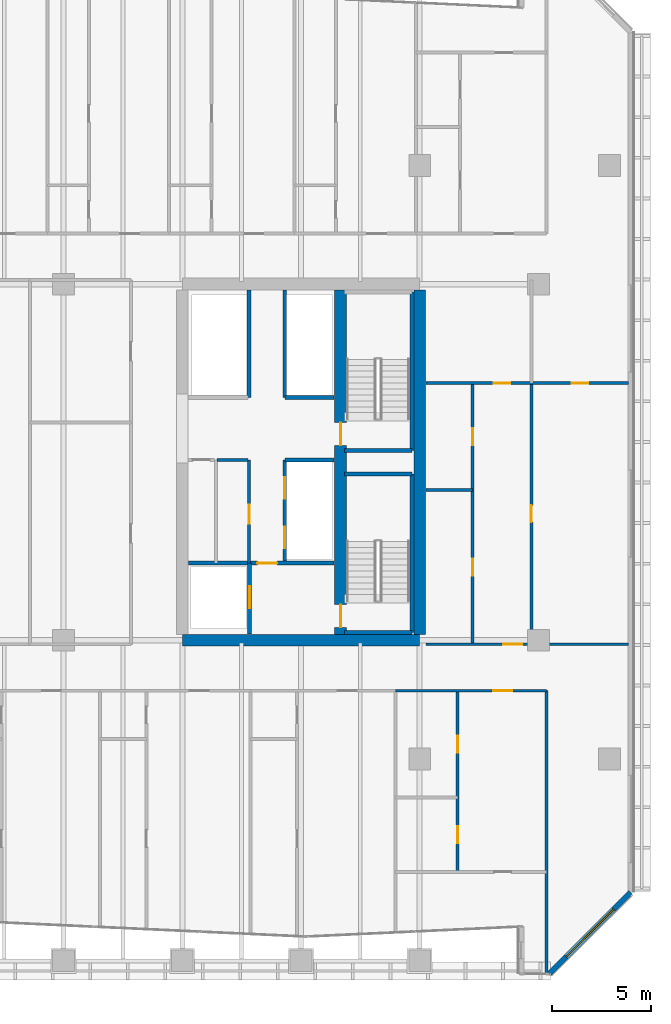
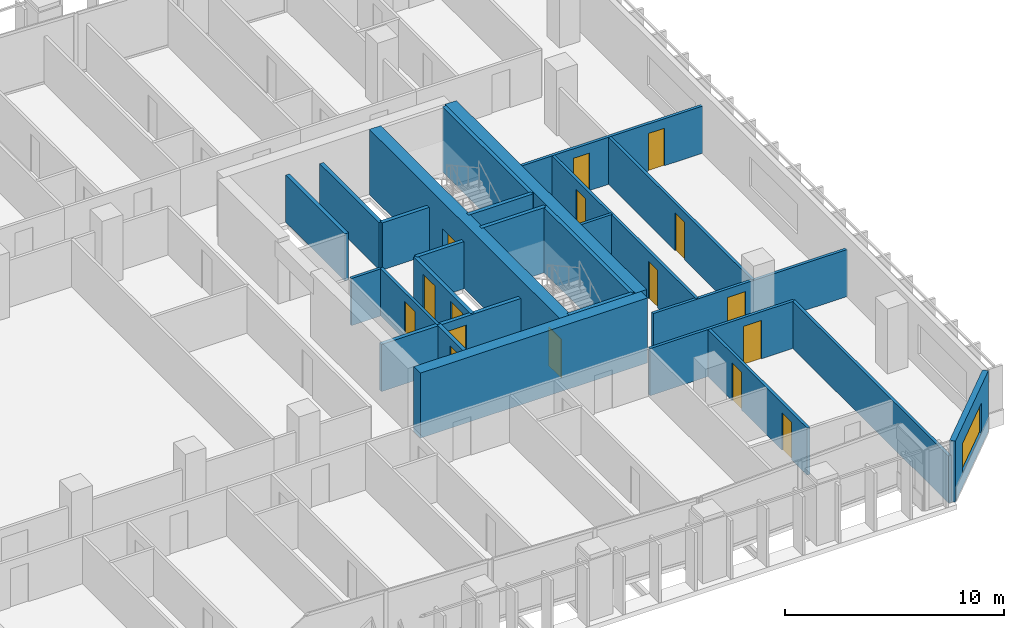
# One storey, part 24 of 32: 26 walls, 16 doors, 1 window, 17 openings.
"""IFC4 building model written with IfcOpenShell, lengths in metres."""

from ifc_helpers import new_model, si_unit, direction, frame, frame_2d, origin, place, context, subcontext, project, spatial, rectangle, extrude, material, layer, layer_set, type_object, element, fill, save


model = new_model("IFC4")

# Units and contexts
model_context = context("Model", 3, precision=1e-05, world=origin(), true_north=direction((0.0, 1.0)))
body_context = subcontext(model_context, "Body", "Model", "MODEL_VIEW")
ifc_project = project(units=[si_unit("LENGTHUNIT", "METRE"), si_unit("AREAUNIT", "SQUARE_METRE"), si_unit("VOLUMEUNIT", "CUBIC_METRE"), si_unit("PLANEANGLEUNIT", "RADIAN"), si_unit("MASSUNIT", "GRAM", prefix="KILO")], contexts=[model_context])

# Site, building, storey
site_placement = place(None, origin())
site = spatial("IfcSite", under=ifc_project, at=site_placement, CompositionType="ELEMENT")
building_placement = place(site_placement, origin())
building = spatial("IfcBuilding", under=site, at=building_placement, Name="Tanjung Sevakor Pilgrim Tower", CompositionType="ELEMENT")
storey_placement = place(building_placement, frame((0.0, 0.0, 62.3701171875)))
storey = spatial("IfcBuildingStorey", under=building, at=storey_placement, Name="L17", CompositionType="ELEMENT", Elevation=62.3701171875)

# Walls
ifc_material_1 = material(Name="Concrete C60/75", Category="concrete")
ifc_layer_1 = layer(ifc_material_1, 0.60009765625)
ifc_layer_set_1 = layer_set([ifc_layer_1], Name="WALL-CW-600")
wall_type_1 = type_object("IfcWallType", Name="WALL-CW-600", PredefinedType="SHEAR", material=ifc_layer_set_1)
wall_1_placement = place(storey_placement, frame((78.0, 24.60009765625, 0.0), z_axis=(0.0, 0.0, 1.0), x_axis=(1.0, 0.0, 0.0)))
element("IfcWall", 1, at=wall_1_placement, inside=storey, type_object=wall_type_1, Name="L17 E Core South Shear Wall", PredefinedType="SHEAR", context=body_context, shape_type="SweptSolid", body=[
    extrude(rectangle(XDim=12.0, YDim=0.60009765625, at=frame_2d((6.0, 0.0))), origin(), (0.0, 0.0, 1.0), 3.6298828125),
])
wall_2_placement = place(storey_placement, frame((90.0, 24.89990234375, 0.0), z_axis=(0.0, 0.0, 1.0), x_axis=(0.0, 1.0, 0.0)))
element("IfcWall", 2, at=wall_2_placement, inside=storey, type_object=wall_type_1, Name="L17 E Core Outer Shear Wall", PredefinedType="SHEAR", context=body_context, shape_type="SweptSolid", body=[
    extrude(rectangle(XDim=17.400146484375, YDim=0.60009765625, at=frame_2d((8.7001953125, 0.0))), origin(), (0.0, 0.0, 1.0), 3.6298828125),
])

# Wall, openings, doors
wall_3_placement = place(storey_placement, frame((86.0, 24.89990234375, 0.0), z_axis=(0.0, 0.0, 1.0), x_axis=(0.0, 1.0, 0.0)))
wall_3 = element("IfcWall", 3, at=wall_3_placement, inside=storey, type_object=wall_type_1, Name="L17 E Core Stair Spine Wall", PredefinedType="SHEAR", context=body_context, shape_type="SweptSolid", body=[
    extrude(rectangle(XDim=17.400146484375, YDim=0.60009765625, at=frame_2d((8.7001953125, 0.0))), origin(), (0.0, 0.0, 1.0), 3.6298828125),
])
opening_1_placement = place(wall_3_placement, frame((0.35009765625, 0.0, 0.0)))
opening_1 = element("IfcOpeningElement", 4, at=opening_1_placement, cuts=wall_3, Name="Opening ID-ST1", PredefinedType="OPENING", context=body_context, shape_type="SweptSolid", body=[
    extrude(rectangle(XDim=1.14990234375, YDim=2.14990234375, at=frame_2d((0.574951171875, 1.074951171875))), frame((0.0, 0.31005859375, 0.0), z_axis=(0.0, -1.0, 0.0), x_axis=(1.0, 0.0, 0.0)), (0.0, 0.0, 1.0), 0.6201171875),
])
opening_2_placement = place(wall_3_placement, frame((9.550048828125, 0.0, 0.0)))
opening_2 = element("IfcOpeningElement", 5, at=opening_2_placement, cuts=wall_3, Name="Opening ID-ST1", PredefinedType="OPENING", context=body_context, shape_type="SweptSolid", body=[
    extrude(rectangle(XDim=1.14990234375, YDim=2.14990234375, at=frame_2d((0.574951171875, 1.074951171875))), frame((0.0, 0.31005859375, 0.0), z_axis=(0.0, -1.0, 0.0), x_axis=(1.0, 0.0, 0.0)), (0.0, 0.0, 1.0), 0.6201171875),
])
ifc_material_2 = material(Name="Fire-Rated Steel S355J2", Category="steel")
door_type_1 = type_object("IfcDoorType", Name="DT-FIRE-1150", OperationType="NOTDEFINED", PredefinedType="DOOR", material=ifc_material_2)
door_1_placement = place(opening_1_placement, origin())
door_1 = element("IfcDoor", 6, at=door_1_placement, inside=storey, type_object=door_type_1, Name="L17 TS-E1 Stair Fire Door", OperationType="SINGLE_SWING_RIGHT", OverallHeight=2.14990234375, OverallWidth=1.14990234375, PredefinedType="DOOR", context=body_context, shape_type="SweptSolid", body=[
    extrude(rectangle(XDim=1.14990234375, YDim=2.14990234375, at=frame_2d((0.574951171875, 1.074951171875))), frame((0.0, 0.02490234375, 0.0), z_axis=(0.0, -1.0, 0.0), x_axis=(1.0, 0.0, 0.0)), (0.0, 0.0, 1.0), 0.050048828125),
])
fill(opening_1, door_1)
door_2_placement = place(opening_2_placement, origin())
door_2 = element("IfcDoor", 7, at=door_2_placement, inside=storey, type_object=door_type_1, Name="L17 TS-E2 Stair Fire Door", OperationType="SINGLE_SWING_LEFT", OverallHeight=2.14990234375, OverallWidth=1.14990234375, PredefinedType="DOOR", context=body_context, shape_type="SweptSolid", body=[
    extrude(rectangle(XDim=1.14990234375, YDim=2.14990234375, at=frame_2d((0.574951171875, 1.074951171875))), frame((0.0, 0.02490234375, 0.0), z_axis=(0.0, -1.0, 0.0), x_axis=(1.0, 0.0, 0.0)), (0.0, 0.0, 1.0), 0.050048828125),
])
fill(opening_2, door_2)

# Wall
ifc_material_3 = material(Name="Concrete C40/50", Category="concrete")
ifc_layer_2 = layer(ifc_material_3, 0.14990234375)
ifc_layer_set_2 = layer_set([ifc_layer_2], Name="WT-COMP-150")
wall_type_2 = type_object("IfcWallType", Name="WT-COMP-150", PredefinedType="SOLIDWALL", material=ifc_layer_set_2)
wall_4_placement = place(storey_placement, frame((79.760009765625, 33.719970703125, 0.0), z_axis=(0.0, 0.0, 1.0), x_axis=(1.0, 0.0, 0.0)))
element("IfcWall", 8, at=wall_4_placement, inside=storey, type_object=wall_type_2, Name="L17 Partition IW-L17-018", PredefinedType="SOLIDWALL", context=body_context, shape_type="SweptSolid", body=[
    extrude(rectangle(XDim=1.56005859375, YDim=0.14990234375, at=frame_2d((0.780029296875, 0.0))), origin(), (0.0, 0.0, 1.0), 2.6298828125),
])

# Wall, opening, door
wall_5_placement = place(storey_placement, frame((81.3798828125, 28.5, 0.0), z_axis=(0.0, 0.0, 1.0), x_axis=(0.0, 1.0, 0.0)))
wall_5 = element("IfcWall", 9, at=wall_5_placement, inside=storey, type_object=wall_type_2, Name="L17 Partition IW-L17-020", PredefinedType="SOLIDWALL", context=body_context, shape_type="SweptSolid", body=[
    extrude(rectangle(XDim=5.219970703125, YDim=0.14990234375, at=frame_2d((2.60986328125, 0.0))), origin(), (0.0, 0.0, 1.0), 2.6298828125),
])
opening_3_placement = place(wall_5_placement, frame((2.0, 0.0, 0.0)))
opening_3 = element("IfcOpeningElement", 10, at=opening_3_placement, cuts=wall_5, Name="Opening ID-FD2", PredefinedType="OPENING", context=body_context, shape_type="SweptSolid", body=[
    extrude(rectangle(XDim=0.949951171875, YDim=2.14990234375, at=frame_2d((0.47509765625, 1.074951171875))), frame((0.0, 0.0849609375, 0.0), z_axis=(0.0, -1.0, 0.0), x_axis=(1.0, 0.0, 0.0)), (0.0, 0.0, 1.0), 0.169921875),
])
ifc_material_4 = material(Name="Fire-Rated Timber", Category="wood")
door_type_2 = type_object("IfcDoorType", Name="DT-FIRE-950", OperationType="NOTDEFINED", PredefinedType="DOOR", material=ifc_material_4)
door_3_placement = place(opening_3_placement, origin())
door_3 = element("IfcDoor", 11, at=door_3_placement, inside=storey, type_object=door_type_2, Name="L17 Accessible WC Door", OperationType="SINGLE_SWING_LEFT", OverallHeight=2.14990234375, OverallWidth=0.949951171875, PredefinedType="DOOR", context=body_context, shape_type="SweptSolid", body=[
    extrude(rectangle(XDim=0.949951171875, YDim=2.14990234375, at=frame_2d((0.47509765625, 1.074951171875))), frame((0.0, 0.02490234375, 0.0), z_axis=(0.0, -1.0, 0.0), x_axis=(1.0, 0.0, 0.0)), (0.0, 0.0, 1.0), 0.050048828125),
])
fill(opening_3, door_3)

wall_6_placement = place(storey_placement, frame((90.320068359375, 24.39990234375, 0.0), z_axis=(0.0, 0.0, 1.0), x_axis=(1.0, 0.0, 0.0)))
wall_6 = element("IfcWall", 12, at=wall_6_placement, inside=storey, type_object=wall_type_2, Name="L17 Partition IW-L17-045", PredefinedType="SOLIDWALL", context=body_context, shape_type="SweptSolid", body=[
    extrude(rectangle(XDim=10.239990234375, YDim=0.14990234375, at=frame_2d((5.1201171875, 0.0))), origin(), (0.0, 0.0, 1.0), 2.625244140625),
])
opening_4_placement = place(wall_6_placement, frame((3.91259765625, 0.0, 0.0)))
opening_4 = element("IfcOpeningElement", 13, at=opening_4_placement, cuts=wall_6, Name="Opening ID-FD2", PredefinedType="OPENING", context=body_context, shape_type="SweptSolid", body=[
    extrude(rectangle(XDim=0.949951171875, YDim=2.14990234375, at=frame_2d((0.47509765625, 1.074951171875))), frame((0.0, 0.0849609375, 0.0), z_axis=(0.0, -1.0, 0.0), x_axis=(1.0, 0.0, 0.0)), (0.0, 0.0, 1.0), 0.169921875),
])
door_4_placement = place(opening_4_placement, origin())
door_4 = element("IfcDoor", 14, at=door_4_placement, inside=storey, type_object=door_type_2, Name="Suite Entrance", OperationType="SINGLE_SWING_LEFT", OverallHeight=2.14990234375, OverallWidth=0.949951171875, PredefinedType="DOOR", context=body_context, shape_type="SweptSolid", body=[
    extrude(rectangle(XDim=0.949951171875, YDim=2.14990234375, at=frame_2d((0.47509765625, 1.074951171875))), frame((0.0, 0.02490234375, 0.0), z_axis=(0.0, -1.0, 0.0), x_axis=(1.0, 0.0, 0.0)), (0.0, 0.0, 1.0), 0.050048828125),
])
fill(opening_4, door_4)

# Wall
wall_7_placement = place(storey_placement, frame((96.39990234375, 7.739990234375, 0.0), z_axis=(0.0, 0.0, 1.0), x_axis=(0.0, 1.0, 0.0)))
element("IfcWall", 15, at=wall_7_placement, inside=storey, type_object=wall_type_2, Name="L17 Partition IW-L17-064", PredefinedType="SOLIDWALL", context=body_context, shape_type="SweptSolid", body=[
    extrude(rectangle(XDim=14.31005859375, YDim=0.14990234375, at=frame_2d((7.155029296875, 0.0))), origin(), (0.0, 0.0, 1.0), 2.6298828125),
])

# Wall, opening, door
wall_8_placement = place(storey_placement, frame((88.784912109375, 22.050048828125, 0.0), z_axis=(0.0, 0.0, 1.0), x_axis=(1.0, 0.0, 0.0)))
wall_8 = element("IfcWall", 16, at=wall_8_placement, inside=storey, type_object=wall_type_2, Name="L17 Partition IW-L17-086", PredefinedType="SOLIDWALL", context=body_context, shape_type="SweptSolid", body=[
    extrude(rectangle(XDim=7.614990234375, YDim=0.14990234375, at=frame_2d((3.8076171875, 0.0))), origin(), (0.0, 0.0, 1.0), 2.6298828125),
])
opening_5_placement = place(wall_8_placement, frame((4.940185546875, 0.0, 0.0)))
opening_5 = element("IfcOpeningElement", 17, at=opening_5_placement, cuts=wall_8, Name="Opening ID-FD2", PredefinedType="OPENING", context=body_context, shape_type="SweptSolid", body=[
    extrude(rectangle(XDim=0.949951171875, YDim=2.14990234375, at=frame_2d((0.47509765625, 1.074951171875))), frame((0.0, 0.0849609375, 0.0), z_axis=(0.0, -1.0, 0.0), x_axis=(1.0, 0.0, 0.0)), (0.0, 0.0, 1.0), 0.169921875),
])
door_5_placement = place(opening_5_placement, origin())
door_5 = element("IfcDoor", 18, at=door_5_placement, inside=storey, type_object=door_type_2, Name="Residence Entrance", OperationType="SINGLE_SWING_LEFT", OverallHeight=2.14990234375, OverallWidth=0.949951171875, PredefinedType="DOOR", context=body_context, shape_type="SweptSolid", body=[
    extrude(rectangle(XDim=0.949951171875, YDim=2.14990234375, at=frame_2d((0.47509765625, 1.074951171875))), frame((0.0, 0.02490234375, 0.0), z_axis=(0.0, -1.0, 0.0), x_axis=(1.0, 0.0, 0.0)), (0.0, 0.0, 1.0), 0.050048828125),
])
fill(opening_5, door_5)

# Wall, opening, window
ifc_material_5 = material(Name="Precast concrete C45/55", Category="concrete")
ifc_layer_3 = layer(ifc_material_5, 0.280029296875)
ifc_layer_set_3 = layer_set([ifc_layer_3], Name="WT-EW-STN2")
wall_type_3 = type_object("IfcWallType", Name="WT-EW-STN2", PredefinedType="SOLIDWALL", material=ifc_layer_set_3)
wall_9_placement = place(storey_placement, frame((96.5419921875, 7.739990234375, 0.0), z_axis=(0.0, 0.0, 1.0), x_axis=(0.707106781187, 0.707106781187, 0.0)))
wall_9 = element("IfcWall", 19, at=wall_9_placement, inside=storey, type_object=wall_type_3, Name="L17 MAIN Sculpted Corner Wall 15", PredefinedType="SOLIDWALL", context=body_context, shape_type="SweptSolid", body=[
    extrude(rectangle(XDim=5.82373046875, YDim=0.280029296875, at=frame_2d((2.911865234375, 0.0))), origin(), (0.0, 0.0, 1.0), 3.409912109375),
])
opening_6_placement = place(wall_9_placement, frame((1.2119140625, 0.0, 0.780029296875)))
opening_6 = element("IfcOpeningElement", 20, at=opening_6_placement, cuts=wall_9, Name="Opening WN-CHM-1660", PredefinedType="OPENING", context=body_context, shape_type="SweptSolid", body=[
    extrude(rectangle(XDim=3.39990234375, YDim=1.659912109375, at=frame_2d((1.699951171875, 0.830078125))), frame((0.0, 0.14990234375, 0.0), z_axis=(0.0, -1.0, 0.0), x_axis=(1.0, 0.0, 0.0)), (0.0, 0.0, 1.0), 0.300048828125),
])
ifc_material_6 = material(Name="Thermally Broken Aluminium and Low-E Glass", Category="aluminium")
window_type = type_object("IfcWindowType", Name="WTYP-WN-CHM-1660", PartitioningType="DOUBLE_PANEL_VERTICAL", PredefinedType="WINDOW", material=ifc_material_6)
window_placement = place(opening_6_placement, origin())
window = element("IfcWindow", 21, at=window_placement, inside=storey, type_object=window_type, Name="L17 Facade Window 01", OverallHeight=1.659912109375, OverallWidth=3.39990234375, PartitioningType="SINGLE_PANEL", PredefinedType="WINDOW", context=body_context, shape_type="SweptSolid", body=[
    extrude(rectangle(XDim=3.39990234375, YDim=1.659912109375, at=frame_2d((1.699951171875, 0.830078125))), frame((0.0, 0.030029296875, 0.0), z_axis=(0.0, -1.0, 0.0), x_axis=(1.0, 0.0, 0.0)), (0.0, 0.0, 1.0), 0.06005859375),
])
fill(opening_6, window)

# Walls
ifc_material_7 = material(Name="Concrete C40/50", Category="concrete")
ifc_layer_4 = layer(ifc_material_7, 0.199951171875)
ifc_layer_set_4 = layer_set([ifc_layer_4], Name="WT-FIRE-200")
wall_type_4 = type_object("IfcWallType", Name="WT-FIRE-200", PredefinedType="SOLIDWALL", material=ifc_layer_set_4)
wall_10_placement = place(storey_placement, frame((86.199951171875, 25.0, 0.0), z_axis=(0.0, 0.0, 1.0), x_axis=(1.0, 0.0, 0.0)))
element("IfcWall", 22, at=wall_10_placement, inside=storey, type_object=wall_type_4, Name="L17 TS-E1 Shaft Wall 1", PredefinedType="SOLIDWALL", context=body_context, shape_type="SweptSolid", body=[
    extrude(rectangle(XDim=3.400146484375, YDim=0.199951171875, at=frame_2d((1.7001953125, 0.0))), origin(), (0.0, 0.0, 1.0), 3.6298828125),
])
wall_11_placement = place(storey_placement, frame((89.60009765625, 25.0, 0.0), z_axis=(0.0, 0.0, 1.0), x_axis=(0.0, 1.0, 0.0)))
element("IfcWall", 23, at=wall_11_placement, inside=storey, type_object=wall_type_4, Name="L17 TS-E1 Shaft Wall 2", PredefinedType="SOLIDWALL", context=body_context, shape_type="SweptSolid", body=[
    extrude(rectangle(XDim=8.0, YDim=0.199951171875, at=frame_2d((4.0, 0.0))), origin(), (0.0, 0.0, 1.0), 3.6298828125),
])
for number, where, z_axis, x_axis, name in (
    (24, (89.60009765625, 33.0, 0.0), (0.0, 0.0, 1.0), (-1.0, 0.0, 0.0), "L17 TS-E1 Shaft Wall 3"),
    (25, (86.199951171875, 34.199951171875, 0.0), (0.0, 0.0, 1.0), (1.0, 0.0, 0.0), "L17 TS-E2 Shaft Wall 1"),
):
    element("IfcWall", number, at=place(storey_placement, frame(where, z_axis=z_axis, x_axis=x_axis)), inside=storey, type_object=wall_type_4, Name=name, PredefinedType="SOLIDWALL", context=body_context, shape_type="SweptSolid", body=[
        extrude(rectangle(XDim=3.400146484375, YDim=0.199951171875, at=frame_2d((1.7001953125, 0.0))), origin(), (0.0, 0.0, 1.0), 3.6298828125),
    ])
wall_12_placement = place(storey_placement, frame((89.60009765625, 34.199951171875, 0.0), z_axis=(0.0, 0.0, 1.0), x_axis=(0.0, 1.0, 0.0)))
element("IfcWall", 26, at=wall_12_placement, inside=storey, type_object=wall_type_4, Name="L17 TS-E2 Shaft Wall 2", PredefinedType="SOLIDWALL", context=body_context, shape_type="SweptSolid", body=[
    extrude(rectangle(XDim=8.0, YDim=0.199951171875, at=frame_2d((4.0, 0.0))), origin(), (0.0, 0.0, 1.0), 3.6298828125),
])

# Wall, opening, door
ifc_material_8 = material(Name="Concrete C40/50", Category="concrete")
ifc_layer_5 = layer(ifc_material_8, 0.199951171875)
ifc_layer_set_5 = layer_set([ifc_layer_5], Name="WT-FPRT-200")
wall_type_5 = type_object("IfcWallType", Name="WT-FPRT-200", PredefinedType="SOLIDWALL", material=ifc_layer_set_5)
wall_13_placement = place(storey_placement, frame((81.39990234375, 24.919921875, 0.0), z_axis=(0.0, 0.0, 1.0), x_axis=(0.0, 1.0, 0.0)))
wall_13 = element("IfcWall", 27, at=wall_13_placement, inside=storey, type_object=wall_type_5, Name="L17 Partition IW-L17-013", PredefinedType="SOLIDWALL", context=body_context, shape_type="SweptSolid", body=[
    extrude(rectangle(XDim=3.580078125, YDim=0.199951171875, at=frame_2d((1.7900390625, 0.0))), origin(), (0.0, 0.0, 1.0), 2.6298828125),
])
opening_7_placement = place(wall_13_placement, frame((1.300048828125, 0.0, 0.0)))
opening_7 = element("IfcOpeningElement", 28, at=opening_7_placement, cuts=wall_13, Name="Opening LD-1100", PredefinedType="OPENING", context=body_context, shape_type="SweptSolid", body=[
    extrude(rectangle(XDim=1.10009765625, YDim=2.199951171875, at=frame_2d((0.550048828125, 1.10009765625))), frame((0.0, 0.10986328125, 0.0), z_axis=(0.0, -1.0, 0.0), x_axis=(1.0, 0.0, 0.0)), (0.0, 0.0, 1.0), 0.219970703125),
])
ifc_material_9 = material(Name="Brushed Stainless Steel S355J2", Category="steel")
door_type_3 = type_object("IfcDoorType", Name="DT-LIFT-1100", OperationType="SLIDING_TO_LEFT", PredefinedType="DOOR", material=ifc_material_9)
door_6_placement = place(opening_7_placement, origin())
door_6 = element("IfcDoor", 29, at=door_6_placement, inside=storey, type_object=door_type_3, Name="LD-FL-E", OperationType="SLIDING_TO_LEFT", OverallHeight=2.199951171875, OverallWidth=1.10009765625, PredefinedType="DOOR", context=body_context, shape_type="SweptSolid", body=[
    extrude(rectangle(XDim=1.10009765625, YDim=2.199951171875, at=frame_2d((0.550048828125, 1.10009765625))), frame((0.0, 0.02490234375, 0.0), z_axis=(0.0, -1.0, 0.0), x_axis=(1.0, 0.0, 0.0)), (0.0, 0.0, 1.0), 0.050048828125),
])
fill(opening_7, door_6)

wall_14_placement = place(storey_placement, frame((78.320068359375, 28.5, 0.0), z_axis=(0.0, 0.0, 1.0), x_axis=(1.0, 0.0, 0.0)))
wall_14 = element("IfcWall", 30, at=wall_14_placement, inside=storey, type_object=wall_type_5, Name="L17 Partition IW-L17-014", PredefinedType="SOLIDWALL", context=body_context, shape_type="SweptSolid", body=[
    extrude(rectangle(XDim=7.35986328125, YDim=0.199951171875, at=frame_2d((3.679931640625, 0.0))), origin(), (0.0, 0.0, 1.0), 2.6298828125),
])
opening_8_placement = place(wall_14_placement, frame((3.47998046875, 0.0, 0.0)))
opening_8 = element("IfcOpeningElement", 31, at=opening_8_placement, cuts=wall_14, Name="Opening ID-FD1", PredefinedType="OPENING", context=body_context, shape_type="SweptSolid", body=[
    extrude(rectangle(XDim=1.0, YDim=2.14990234375, at=frame_2d((0.5, 1.074951171875))), frame((0.0, 0.10986328125, 0.0), z_axis=(0.0, -1.0, 0.0), x_axis=(1.0, 0.0, 0.0)), (0.0, 0.0, 1.0), 0.219970703125),
])
ifc_material_10 = material(Name="Fire-Rated Steel S355J2", Category="steel")
door_type_4 = type_object("IfcDoorType", Name="DT-FIRE-1000", OperationType="NOTDEFINED", PredefinedType="DOOR", material=ifc_material_10)
door_7_placement = place(opening_8_placement, origin())
door_7 = element("IfcDoor", 32, at=door_7_placement, inside=storey, type_object=door_type_4, Name="Fire Lobby Door E", OperationType="SINGLE_SWING_LEFT", OverallHeight=2.14990234375, OverallWidth=1.0, PredefinedType="DOOR", context=body_context, shape_type="SweptSolid", body=[
    extrude(rectangle(XDim=1.0, YDim=2.14990234375, at=frame_2d((0.5, 1.074951171875))), frame((0.0, 0.02490234375, 0.0), z_axis=(0.0, -1.0, 0.0), x_axis=(1.0, 0.0, 0.0)), (0.0, 0.0, 1.0), 0.050048828125),
])
fill(opening_8, door_7)

# Wall
wall_15_placement = place(storey_placement, frame((83.199951171875, 33.719970703125, 0.0), z_axis=(0.0, 0.0, 1.0), x_axis=(1.0, 0.0, 0.0)))
element("IfcWall", 33, at=wall_15_placement, inside=storey, type_object=wall_type_5, Name="L17 Partition IW-L17-015", PredefinedType="SOLIDWALL", context=body_context, shape_type="SweptSolid", body=[
    extrude(rectangle(XDim=2.47998046875, YDim=0.199951171875, at=frame_2d((1.239990234375, 0.0))), origin(), (0.0, 0.0, 1.0), 2.6298828125),
])

# Wall, openings, doors
wall_16_placement = place(storey_placement, frame((83.179931640625, 28.5, 0.0), z_axis=(0.0, 0.0, 1.0), x_axis=(0.0, 1.0, 0.0)))
wall_16 = element("IfcWall", 34, at=wall_16_placement, inside=storey, type_object=wall_type_5, Name="L17 Partition IW-L17-016", PredefinedType="SOLIDWALL", context=body_context, shape_type="SweptSolid", body=[
    extrude(rectangle(XDim=5.219970703125, YDim=0.199951171875, at=frame_2d((2.60986328125, 0.0))), origin(), (0.0, 0.0, 1.0), 2.6298828125),
])
opening_9_placement = place(wall_16_placement, frame((0.75, 0.0, 0.0)))
opening_9 = element("IfcOpeningElement", 35, at=opening_9_placement, cuts=wall_16, Name="Opening LD-1100", PredefinedType="OPENING", context=body_context, shape_type="SweptSolid", body=[
    extrude(rectangle(XDim=1.10009765625, YDim=2.199951171875, at=frame_2d((0.550048828125, 1.10009765625))), frame((0.0, 0.10986328125, 0.0), z_axis=(0.0, -1.0, 0.0), x_axis=(1.0, 0.0, 0.0)), (0.0, 0.0, 1.0), 0.219970703125),
])
opening_10_placement = place(wall_16_placement, frame((3.25, 0.0, 0.0)))
opening_10 = element("IfcOpeningElement", 36, at=opening_10_placement, cuts=wall_16, Name="Opening LD-1100", PredefinedType="OPENING", context=body_context, shape_type="SweptSolid", body=[
    extrude(rectangle(XDim=1.10009765625, YDim=2.199951171875, at=frame_2d((0.550048828125, 1.10009765625))), frame((0.0, 0.10986328125, 0.0), z_axis=(0.0, -1.0, 0.0), x_axis=(1.0, 0.0, 0.0)), (0.0, 0.0, 1.0), 0.219970703125),
])
door_8_placement = place(opening_9_placement, origin())
door_8 = element("IfcDoor", 37, at=door_8_placement, inside=storey, type_object=door_type_3, Name="LD-PLL1-E", OperationType="SLIDING_TO_LEFT", OverallHeight=2.199951171875, OverallWidth=1.10009765625, PredefinedType="DOOR", context=body_context, shape_type="SweptSolid", body=[
    extrude(rectangle(XDim=1.10009765625, YDim=2.199951171875, at=frame_2d((0.550048828125, 1.10009765625))), frame((0.0, 0.02490234375, 0.0), z_axis=(0.0, -1.0, 0.0), x_axis=(1.0, 0.0, 0.0)), (0.0, 0.0, 1.0), 0.050048828125),
])
fill(opening_9, door_8)
door_9_placement = place(opening_10_placement, origin())
door_9 = element("IfcDoor", 38, at=door_9_placement, inside=storey, type_object=door_type_3, Name="LD-PLL2-E", OperationType="SLIDING_TO_RIGHT", OverallHeight=2.199951171875, OverallWidth=1.10009765625, PredefinedType="DOOR", context=body_context, shape_type="SweptSolid", body=[
    extrude(rectangle(XDim=1.10009765625, YDim=2.199951171875, at=frame_2d((0.550048828125, 1.10009765625))), frame((0.0, 0.02490234375, 0.0), z_axis=(0.0, -1.0, 0.0), x_axis=(1.0, 0.0, 0.0)), (0.0, 0.0, 1.0), 0.050048828125),
])
fill(opening_10, door_9)

# Walls
wall_17_placement = place(storey_placement, frame((83.199951171875, 36.8798828125, 0.0), z_axis=(0.0, 0.0, 1.0), x_axis=(1.0, 0.0, 0.0)))
element("IfcWall", 39, at=wall_17_placement, inside=storey, type_object=wall_type_5, Name="L17 Partition IW-L17-021", PredefinedType="SOLIDWALL", context=body_context, shape_type="SweptSolid", body=[
    extrude(rectangle(XDim=2.47998046875, YDim=0.199951171875, at=frame_2d((1.239990234375, 0.0))), origin(), (0.0, 0.0, 1.0), 2.6298828125),
])
for number, where, z_axis, x_axis, name in (
    (40, (83.179931640625, 36.8798828125, 0.0), (0.0, 0.0, 1.0), (0.0, 1.0, 0.0), "L17 Partition IW-L17-022"),
    (41, (81.3798828125, 36.8798828125, 0.0), (0.0, 0.0, 1.0), (0.0, 1.0, 0.0), "L17 Partition IW-L17-024"),
):
    element("IfcWall", number, at=place(storey_placement, frame(where, z_axis=z_axis, x_axis=x_axis)), inside=storey, type_object=wall_type_5, Name=name, PredefinedType="SOLIDWALL", context=body_context, shape_type="SweptSolid", body=[
        extrude(rectangle(XDim=5.420166015625, YDim=0.199951171875, at=frame_2d((2.7099609375, 0.0))), origin(), (0.0, 0.0, 1.0), 2.6298828125),
    ])

# Wall, opening, door
ifc_material_11 = material(Name="Gypsum Board Partition", Category="gypsum board")
ifc_layer_6 = layer(ifc_material_11, 0.14990234375)
ifc_layer_set_6 = layer_set([ifc_layer_6], Name="WT-PART-150")
wall_type_6 = type_object("IfcWallType", Name="WT-PART-150", PredefinedType="PARTITIONING", material=ifc_layer_set_6)
wall_18_placement = place(storey_placement, frame((95.644775390625, 24.39990234375, 0.0), z_axis=(0.0, 0.0, 1.0), x_axis=(0.0, 1.0, 0.0)))
wall_18 = element("IfcWall", 42, at=wall_18_placement, inside=storey, type_object=wall_type_6, Name="L17 Partition IW-L17-040", PredefinedType="PARTITIONING", context=body_context, shape_type="SweptSolid", body=[
    extrude(rectangle(XDim=13.2001953125, YDim=0.14990234375, at=frame_2d((6.60009765625, 0.0))), origin(), (0.0, 0.0, 1.0), 2.6298828125),
])
opening_11_placement = place(wall_18_placement, frame((6.175048828125, 0.0, 0.0)))
opening_11 = element("IfcOpeningElement", 43, at=opening_11_placement, cuts=wall_18, Name="Opening ID-WC1", PredefinedType="OPENING", context=body_context, shape_type="SweptSolid", body=[
    extrude(rectangle(XDim=0.85009765625, YDim=2.10009765625, at=frame_2d((0.425048828125, 1.050048828125))), frame((0.0, 0.0849609375, 0.0), z_axis=(0.0, -1.0, 0.0), x_axis=(1.0, 0.0, 0.0)), (0.0, 0.0, 1.0), 0.169921875),
])
ifc_material_12 = material(Name="Moisture-Resistant Timber", Category="wood")
door_type_5 = type_object("IfcDoorType", Name="DT-INT-850", OperationType="NOTDEFINED", PredefinedType="DOOR", material=ifc_material_12)
door_10_placement = place(opening_11_placement, origin())
door_10 = element("IfcDoor", 44, at=door_10_placement, inside=storey, type_object=door_type_5, Name="Suite Study Room Door", OperationType="SINGLE_SWING_RIGHT", OverallHeight=2.10009765625, OverallWidth=0.85009765625, PredefinedType="DOOR", context=body_context, shape_type="SweptSolid", body=[
    extrude(rectangle(XDim=0.85009765625, YDim=2.10009765625, at=frame_2d((0.425048828125, 1.050048828125))), frame((0.0, 0.02490234375, 0.0), z_axis=(0.0, -1.0, 0.0), x_axis=(1.0, 0.0, 0.0)), (0.0, 0.0, 1.0), 0.050048828125),
])
fill(opening_11, door_10)

# Wall
wall_19_placement = place(storey_placement, frame((90.320068359375, 32.18798828125, 0.0), z_axis=(0.0, 0.0, 1.0), x_axis=(1.0, 0.0, 0.0)))
element("IfcWall", 45, at=wall_19_placement, inside=storey, type_object=wall_type_6, Name="L17 Partition IW-L17-041", PredefinedType="PARTITIONING", context=body_context, shape_type="SweptSolid", body=[
    extrude(rectangle(XDim=2.349853515625, YDim=0.14990234375, at=frame_2d((1.1748046875, 0.0))), origin(), (0.0, 0.0, 1.0), 2.6298828125),
])

# Wall, openings, doors
wall_20_placement = place(storey_placement, frame((92.669921875, 24.39990234375, 0.0), z_axis=(0.0, 0.0, 1.0), x_axis=(0.0, 1.0, 0.0)))
wall_20 = element("IfcWall", 46, at=wall_20_placement, inside=storey, type_object=wall_type_6, Name="L17 Partition IW-L17-042", PredefinedType="PARTITIONING", context=body_context, shape_type="SweptSolid", body=[
    extrude(rectangle(XDim=13.2001953125, YDim=0.14990234375, at=frame_2d((6.60009765625, 0.0))), origin(), (0.0, 0.0, 1.0), 2.6298828125),
])
opening_12_placement = place(wall_20_placement, frame((3.468994140625, 0.0, 0.0)))
opening_12 = element("IfcOpeningElement", 47, at=opening_12_placement, cuts=wall_20, Name="Opening ID-WC1", PredefinedType="OPENING", context=body_context, shape_type="SweptSolid", body=[
    extrude(rectangle(XDim=0.85009765625, YDim=2.10009765625, at=frame_2d((0.425048828125, 1.050048828125))), frame((0.0, 0.0849609375, 0.0), z_axis=(0.0, -1.0, 0.0), x_axis=(1.0, 0.0, 0.0)), (0.0, 0.0, 1.0), 0.169921875),
])
opening_13_placement = place(wall_20_placement, frame((10.069091796875, 0.0, 0.0)))
opening_13 = element("IfcOpeningElement", 48, at=opening_13_placement, cuts=wall_20, Name="Opening ID-WC1", PredefinedType="OPENING", context=body_context, shape_type="SweptSolid", body=[
    extrude(rectangle(XDim=0.85009765625, YDim=2.10009765625, at=frame_2d((0.425048828125, 1.050048828125))), frame((0.0, 0.0849609375, 0.0), z_axis=(0.0, -1.0, 0.0), x_axis=(1.0, 0.0, 0.0)), (0.0, 0.0, 1.0), 0.169921875),
])
door_11_placement = place(opening_12_placement, origin())
door_11 = element("IfcDoor", 49, at=door_11_placement, inside=storey, type_object=door_type_5, Name="Suite Kitchenette Door", OperationType="SINGLE_SWING_LEFT", OverallHeight=2.10009765625, OverallWidth=0.85009765625, PredefinedType="DOOR", context=body_context, shape_type="SweptSolid", body=[
    extrude(rectangle(XDim=0.85009765625, YDim=2.10009765625, at=frame_2d((0.425048828125, 1.050048828125))), frame((0.0, 0.02490234375, 0.0), z_axis=(0.0, -1.0, 0.0), x_axis=(1.0, 0.0, 0.0)), (0.0, 0.0, 1.0), 0.050048828125),
])
fill(opening_12, door_11)
door_12_placement = place(opening_13_placement, origin())
door_12 = element("IfcDoor", 50, at=door_12_placement, inside=storey, type_object=door_type_5, Name="Suite Bathroom Door", OperationType="SINGLE_SWING_RIGHT", OverallHeight=2.10009765625, OverallWidth=0.85009765625, PredefinedType="DOOR", context=body_context, shape_type="SweptSolid", body=[
    extrude(rectangle(XDim=0.85009765625, YDim=2.10009765625, at=frame_2d((0.425048828125, 1.050048828125))), frame((0.0, 0.02490234375, 0.0), z_axis=(0.0, -1.0, 0.0), x_axis=(1.0, 0.0, 0.0)), (0.0, 0.0, 1.0), 0.050048828125),
])
fill(opening_13, door_12)

wall_21_placement = place(storey_placement, frame((90.320068359375, 37.60009765625, 0.0), z_axis=(0.0, 0.0, 1.0), x_axis=(1.0, 0.0, 0.0)))
wall_21 = element("IfcWall", 51, at=wall_21_placement, inside=storey, type_object=wall_type_6, Name="L17 Partition IW-L17-044", PredefinedType="PARTITIONING", context=body_context, shape_type="SweptSolid", body=[
    extrude(rectangle(XDim=10.239990234375, YDim=0.14990234375, at=frame_2d((5.1201171875, 0.0))), origin(), (0.0, 0.0, 1.0), 2.6298828125),
])
opening_14_placement = place(wall_21_placement, frame((3.412353515625, 0.0, 0.0)))
opening_14 = element("IfcOpeningElement", 52, at=opening_14_placement, cuts=wall_21, Name="Opening ID-WC1", PredefinedType="OPENING", context=body_context, shape_type="SweptSolid", body=[
    extrude(rectangle(XDim=0.85009765625, YDim=2.10009765625, at=frame_2d((0.425048828125, 1.050048828125))), frame((0.0, 0.0849609375, 0.0), z_axis=(0.0, -1.0, 0.0), x_axis=(1.0, 0.0, 0.0)), (0.0, 0.0, 1.0), 0.169921875),
])
opening_15_placement = place(wall_21_placement, frame((7.357421875, 0.0, 0.0)))
opening_15 = element("IfcOpeningElement", 53, at=opening_15_placement, cuts=wall_21, Name="Opening ID-WC1", PredefinedType="OPENING", context=body_context, shape_type="SweptSolid", body=[
    extrude(rectangle(XDim=0.85009765625, YDim=2.10009765625, at=frame_2d((0.425048828125, 1.050048828125))), frame((0.0, 0.0849609375, 0.0), z_axis=(0.0, -1.0, 0.0), x_axis=(1.0, 0.0, 0.0)), (0.0, 0.0, 1.0), 0.169921875),
])
door_13_placement = place(opening_14_placement, origin())
door_13 = element("IfcDoor", 54, at=door_13_placement, inside=storey, type_object=door_type_5, Name="Suite Bedroom 1 Door", OperationType="SINGLE_SWING_LEFT", OverallHeight=2.10009765625, OverallWidth=0.85009765625, PredefinedType="DOOR", context=body_context, shape_type="SweptSolid", body=[
    extrude(rectangle(XDim=0.85009765625, YDim=2.10009765625, at=frame_2d((0.425048828125, 1.050048828125))), frame((0.0, 0.02490234375, 0.0), z_axis=(0.0, -1.0, 0.0), x_axis=(1.0, 0.0, 0.0)), (0.0, 0.0, 1.0), 0.050048828125),
])
fill(opening_14, door_13)
door_14_placement = place(opening_15_placement, origin())
door_14 = element("IfcDoor", 55, at=door_14_placement, inside=storey, type_object=door_type_5, Name="Suite Bedroom 2 Door", OperationType="SINGLE_SWING_RIGHT", OverallHeight=2.10009765625, OverallWidth=0.85009765625, PredefinedType="DOOR", context=body_context, shape_type="SweptSolid", body=[
    extrude(rectangle(XDim=0.85009765625, YDim=2.10009765625, at=frame_2d((0.425048828125, 1.050048828125))), frame((0.0, 0.02490234375, 0.0), z_axis=(0.0, -1.0, 0.0), x_axis=(1.0, 0.0, 0.0)), (0.0, 0.0, 1.0), 0.050048828125),
])
fill(opening_15, door_14)

wall_22_placement = place(storey_placement, frame((91.919921875, 12.89990234375, 0.0), z_axis=(0.0, 0.0, 1.0), x_axis=(0.0, 1.0, 0.0)))
wall_22 = element("IfcWall", 56, at=wall_22_placement, inside=storey, type_object=wall_type_6, Name="L17 Partition IW-L17-084", PredefinedType="PARTITIONING", context=body_context, shape_type="SweptSolid", body=[
    extrude(rectangle(XDim=9.150146484375, YDim=0.14990234375, at=frame_2d((4.5751953125, 0.0))), origin(), (0.0, 0.0, 1.0), 2.6298828125),
])
opening_16_placement = place(wall_22_placement, frame((1.45068359375, 0.0, 0.0)))
opening_16 = element("IfcOpeningElement", 57, at=opening_16_placement, cuts=wall_22, Name="Opening ID-WC1", PredefinedType="OPENING", context=body_context, shape_type="SweptSolid", body=[
    extrude(rectangle(XDim=0.85009765625, YDim=2.10009765625, at=frame_2d((0.425048828125, 1.050048828125))), frame((0.0, 0.0849609375, 0.0), z_axis=(0.0, -1.0, 0.0), x_axis=(1.0, 0.0, 0.0)), (0.0, 0.0, 1.0), 0.169921875),
])
opening_17_placement = place(wall_22_placement, frame((6.025634765625, 0.0, 0.0)))
opening_17 = element("IfcOpeningElement", 58, at=opening_17_placement, cuts=wall_22, Name="Opening ID-WC1", PredefinedType="OPENING", context=body_context, shape_type="SweptSolid", body=[
    extrude(rectangle(XDim=0.85009765625, YDim=2.10009765625, at=frame_2d((0.425048828125, 1.050048828125))), frame((0.0, 0.0849609375, 0.0), z_axis=(0.0, -1.0, 0.0), x_axis=(1.0, 0.0, 0.0)), (0.0, 0.0, 1.0), 0.169921875),
])
door_15_placement = place(opening_16_placement, origin())
door_15 = element("IfcDoor", 59, at=door_15_placement, inside=storey, type_object=door_type_5, Name="Residence Bathroom Door", OperationType="SINGLE_SWING_RIGHT", OverallHeight=2.10009765625, OverallWidth=0.85009765625, PredefinedType="DOOR", context=body_context, shape_type="SweptSolid", body=[
    extrude(rectangle(XDim=0.85009765625, YDim=2.10009765625, at=frame_2d((0.425048828125, 1.050048828125))), frame((0.0, 0.02490234375, 0.0), z_axis=(0.0, -1.0, 0.0), x_axis=(1.0, 0.0, 0.0)), (0.0, 0.0, 1.0), 0.050048828125),
])
fill(opening_16, door_15)
door_16_placement = place(opening_17_placement, origin())
door_16 = element("IfcDoor", 60, at=door_16_placement, inside=storey, type_object=door_type_5, Name="Residence Kitchenette Door", OperationType="SINGLE_SWING_LEFT", OverallHeight=2.10009765625, OverallWidth=0.85009765625, PredefinedType="DOOR", context=body_context, shape_type="SweptSolid", body=[
    extrude(rectangle(XDim=0.85009765625, YDim=2.10009765625, at=frame_2d((0.425048828125, 1.050048828125))), frame((0.0, 0.02490234375, 0.0), z_axis=(0.0, -1.0, 0.0), x_axis=(1.0, 0.0, 0.0)), (0.0, 0.0, 1.0), 0.050048828125),
])
fill(opening_17, door_16)

save(model, "model.ifc")
